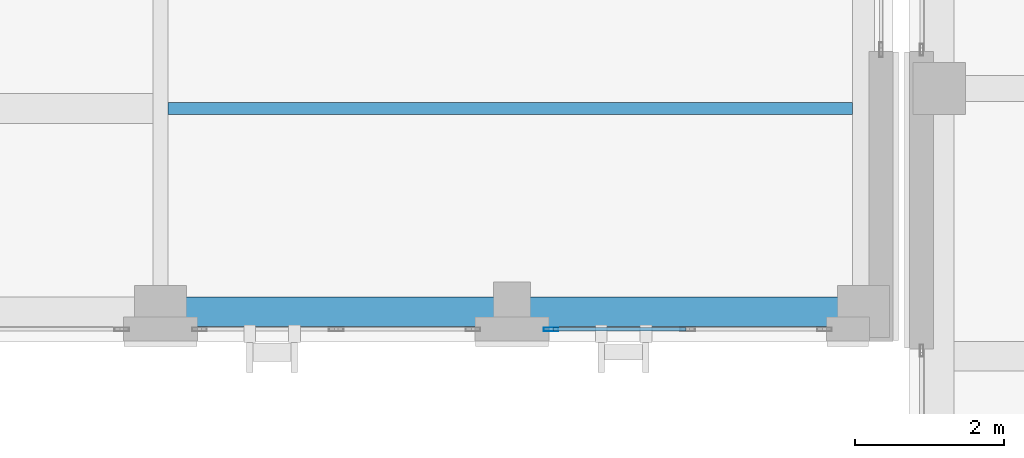
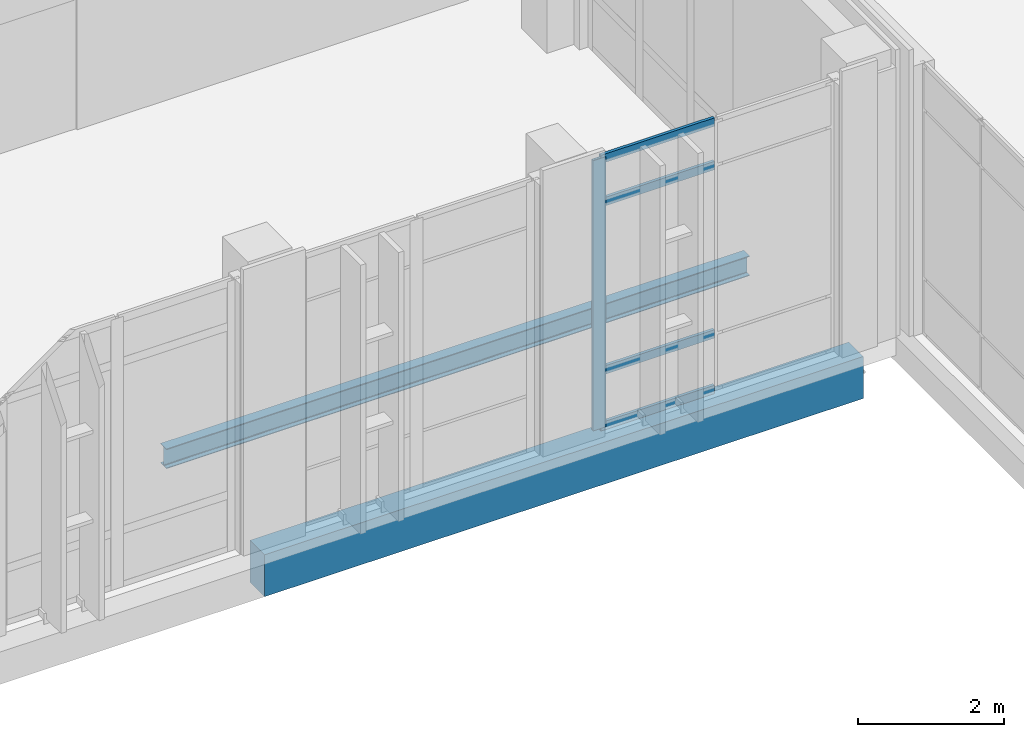
# One storey, part 35 of 189: 5 members, 2 beams, 1 element without a shape of its own.
"""IFC4 building model written with IfcOpenShell, lengths in metres."""

from ifc_helpers import new_model, si_unit, direction, frame, origin, origin_2d, place, context, subcontext, project, spatial, rectangle, hollow_rectangle, i_section, extrude, material, layer, layer_set, material_profile, profile_set, type_object, element, aggregate, save


model = new_model("IFC4")

# Units and contexts
model_context = context("Model", 3, precision=1e-05, world=origin(), true_north=direction((0.0, 1.0)))
body_context = subcontext(model_context, "Body", "Model", "MODEL_VIEW")
ifc_project = project(units=[si_unit("LENGTHUNIT", "METRE"), si_unit("AREAUNIT", "SQUARE_METRE"), si_unit("VOLUMEUNIT", "CUBIC_METRE"), si_unit("PLANEANGLEUNIT", "RADIAN"), si_unit("MASSUNIT", "GRAM", prefix="KILO")], contexts=[model_context])

# Site, building, storey
site_placement = place(None, origin())
site = spatial("IfcSite", under=ifc_project, at=site_placement, CompositionType="ELEMENT")
building_placement = place(site_placement, origin())
building = spatial("IfcBuilding", under=site, at=building_placement, Name="Qalavern Law Courts", CompositionType="ELEMENT")
storey_placement = place(building_placement, frame((0.0, 0.0, 5.39990234375)))
storey = spatial("IfcBuildingStorey", under=building, at=storey_placement, Name="L01", CompositionType="ELEMENT", Elevation=5.39990234375)

# Curtain wall, members
ifc_material_1 = material(Name="Anodised aluminium and insulated glazing", Category="aluminium")
ifc_layer = layer(ifc_material_1, 0.18505859375)
ifc_layer_set = layer_set([ifc_layer], Name="Anodised aluminium and insulated glazing")
curtain_wall_type = type_object("IfcCurtainWallType", Name="ENV-CW-HALL", PredefinedType="USERDEFINED", material=ifc_layer_set)
curtain_wall_placement = place(storey_placement, origin())
curtain_wall = element("IfcCurtainWall", 1, at=curtain_wall_placement, inside=storey, type_object=curtain_wall_type, Name="V2 unitised curtain wall L01 south 11", ObjectType="UNITISED CURTAIN WALL", PredefinedType="USERDEFINED")
ifc_material_2 = material(Name="Anodised aluminium", Category="aluminium")
ifc_material_profile_1 = material_profile(ifc_material_2, hollow_rectangle(XDim=0.048095703125, YDim=0.199951171875, WallThickness=0.00439453125, at=origin_2d()), Name="ALU MULLION 48x200")
ifc_profile_set_1 = profile_set([ifc_material_profile_1], Name="Anodised aluminium")
member_type_1 = type_object("IfcMemberType", Name="ENV-CWM-48x200", PredefinedType="MULLION", material=ifc_profile_set_1)
member_1_placement = place(storey_placement, frame((96.596923828125, 5.362548828125, 0.0), z_axis=(0.0, 0.0, 1.0), x_axis=(0.0, 1.0, 0.0)))
member_1 = element("IfcMember", 2, at=member_1_placement, type_object=member_type_1, Name="CW-02 mullion 1", PredefinedType="MULLION", context=body_context, shape_type="SweptSolid", body=[
    extrude(hollow_rectangle(XDim=0.048095703125, YDim=0.199951171875, WallThickness=0.00439453125, at=origin_2d()), origin(), (0.0, 0.0, 1.0), 4.510009765625),
])
ifc_material_profile_2 = material_profile(ifc_material_2, hollow_rectangle(XDim=0.048095703125, YDim=0.139892578125, WallThickness=0.00390625, at=origin_2d()), Name="ALU TRANSOM 48x140")
ifc_profile_set_2 = profile_set([ifc_material_profile_2], Name="Anodised aluminium")
member_type_2 = type_object("IfcMemberType", Name="ENV-CWT-48x140", PredefinedType="USERDEFINED", material=ifc_profile_set_2)
member_2_placement = place(storey_placement, frame((96.62109375, 5.362548828125, 0.024169921875), z_axis=(1.0, 0.0, 0.0), x_axis=(0.0, 1.0, 0.0)))
member_2 = element("IfcMember", 3, at=member_2_placement, type_object=member_type_2, Name="CW-02 transom 1.1", ObjectType="TRANSOM", PredefinedType="USERDEFINED", context=body_context, shape_type="SweptSolid", body=[
    extrude(hollow_rectangle(XDim=0.048095703125, YDim=0.139892578125, WallThickness=0.00390625, at=origin_2d()), origin(), (0.0, 0.0, 1.0), 1.79150390625),
])
member_3_placement = place(storey_placement, frame((96.62109375, 5.362548828125, 0.9501953125), z_axis=(1.0, 0.0, 0.0), x_axis=(0.0, 1.0, 0.0)))
member_3 = element("IfcMember", 4, at=member_3_placement, type_object=member_type_2, Name="CW-02 transom 1.2", ObjectType="TRANSOM", PredefinedType="USERDEFINED", context=body_context, shape_type="SweptSolid", body=[
    extrude(hollow_rectangle(XDim=0.048095703125, YDim=0.139892578125, WallThickness=0.00390625, at=origin_2d()), origin(), (0.0, 0.0, 1.0), 1.79150390625),
])
member_4_placement = place(storey_placement, frame((96.62109375, 5.362548828125, 3.760009765625), z_axis=(1.0, 0.0, 0.0), x_axis=(0.0, 1.0, 0.0)))
member_4 = element("IfcMember", 5, at=member_4_placement, type_object=member_type_2, Name="CW-02 transom 1.3", ObjectType="TRANSOM", PredefinedType="USERDEFINED", context=body_context, shape_type="SweptSolid", body=[
    extrude(hollow_rectangle(XDim=0.048095703125, YDim=0.139892578125, WallThickness=0.00390625, at=origin_2d()), origin(), (0.0, 0.0, 1.0), 1.79150390625),
])
member_5_placement = place(storey_placement, frame((96.62109375, 5.362548828125, 4.486083984375), z_axis=(1.0, 0.0, 0.0), x_axis=(0.0, 1.0, 0.0)))
member_5 = element("IfcMember", 6, at=member_5_placement, type_object=member_type_2, Name="CW-02 transom 1.4", ObjectType="TRANSOM", PredefinedType="USERDEFINED", context=body_context, shape_type="SweptSolid", body=[
    extrude(hollow_rectangle(XDim=0.048095703125, YDim=0.139892578125, WallThickness=0.00390625, at=origin_2d()), origin(), (0.0, 0.0, 1.0), 1.79150390625),
])
aggregate(curtain_wall, [member_1, member_2, member_3, member_4, member_5])

# Beams
ifc_material_3 = material(Name="Steel S355", Category="steel")
ifc_material_profile_3 = material_profile(ifc_material_3, i_section(OverallWidth=0.159912109375, OverallDepth=0.330078125, WebThickness=0.007568359375, FlangeThickness=0.011474609375, FilletRadius=0.01806640625, at=origin_2d()), Name="IPE 330")
ifc_profile_set_3 = profile_set([ifc_material_profile_3], Name="Steel S355")
beam_type_1 = type_object("IfcBeamType", Name="STR-JST-IPE330", PredefinedType="JOIST", material=ifc_profile_set_3)
beam_1_placement = place(storey_placement, frame((91.443603515625, 8.333251953125, -0.46484375), z_axis=(1.0, 0.0, 0.0), x_axis=(0.0, 1.0, 0.0)))
element("IfcBeam", 7, at=beam_1_placement, inside=storey, type_object=beam_type_1, Name="V2 secondary joist 7.1.1 L01", PredefinedType="JOIST", context=body_context, shape_type="SweptSolid", body=[
    extrude(i_section(OverallWidth=0.159912109375, OverallDepth=0.330078125, WebThickness=0.007568359375, FlangeThickness=0.011474609375, FilletRadius=0.01806640625, at=origin_2d()), origin(), (0.0, 0.0, 1.0), 9.20849609375),
])
ifc_material_4 = material(Name="Concrete C40/50", Category="concrete")
ifc_material_profile_4 = material_profile(ifc_material_4, rectangle(XDim=0.39990234375, YDim=0.699951171875, at=origin_2d()), Name="RC 400x700")
ifc_profile_set_4 = profile_set([ifc_material_profile_4], Name="Concrete C40/50")
beam_type_2 = type_object("IfcBeamType", Name="STR-SP-RC400x700", PredefinedType="SPANDREL", material=ifc_profile_set_4)
beam_2_placement = place(storey_placement, frame((91.345703125, 5.60009765625, -0.64990234375), z_axis=(1.0, 0.0, 0.0), x_axis=(0.0, 1.0, 0.0)))
element("IfcBeam", 8, at=beam_2_placement, inside=storey, type_object=beam_type_2, Name="V2 X-beam 1-7 L01", PredefinedType="SPANDREL", context=body_context, shape_type="SweptSolid", body=[
    extrude(rectangle(XDim=0.39990234375, YDim=0.699951171875, at=origin_2d()), origin(), (0.0, 0.0, 1.0), 9.454345703125),
])

save(model, "model.ifc")
